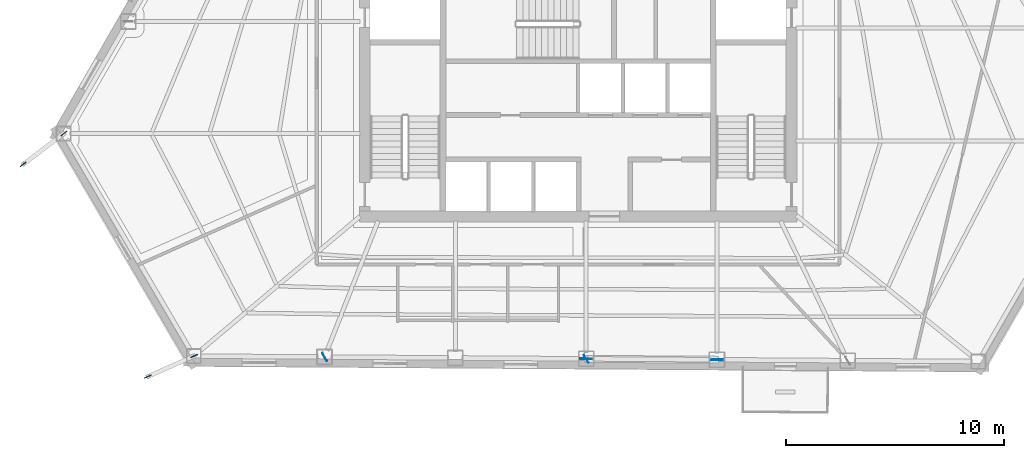
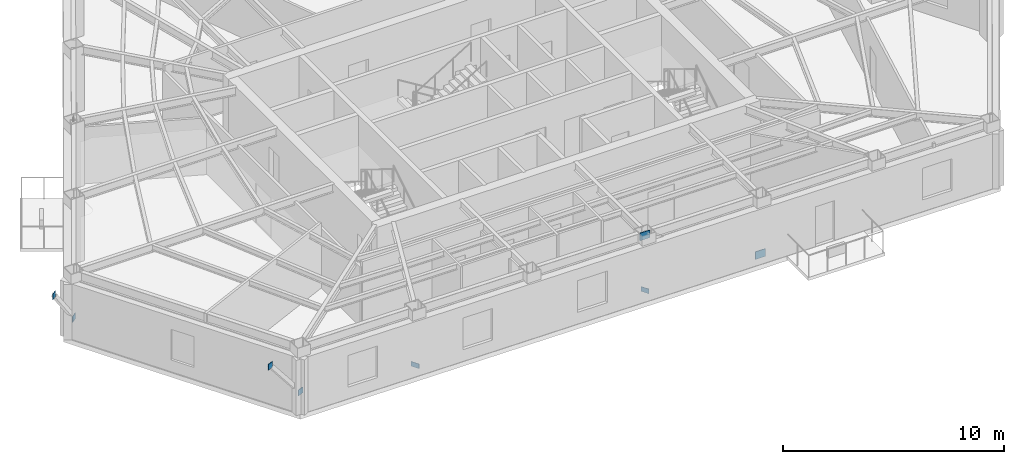
# One storey, part 4 of 12: 8 plates.
"""IFC4 building model written with IfcOpenShell, lengths in metres."""

import ifcopenshell
import ifcopenshell.guid

model = None  # the IFC model being written
_history = None  # IfcOwnerHistory: only IFC2X3 demands one
_inside = {}  # id of a spatial element -> (the spatial element, [elements in it])
_under = {}  # id of a project, library or spatial element -> (it, [spatial elements below it])
_declared = {}  # id of a project -> (the project, [libraries it declares])
_typed = {}  # id of a type object -> (the type object, [elements of that type])
_made_of = {}  # id of a material, layer set ... -> (it, [elements and type objects made of it])


def new_model(schema):
    """Start an empty IFC model of exactly this schema.

    Asked for "IFC4X3", IfcOpenShell would pick the latest addendum, in which some entities
    have other attributes; the version numbers below select the first issue.
    IFC2X3 requires an IfcOwnerHistory on every rooted entity: one is made here for all.
    """
    global model, _history
    if schema == "IFC4X3":
        model = ifcopenshell.file(schema_version=(4, 3, 0, 0))
    else:
        model = ifcopenshell.file(schema=schema)
    _inside.clear()
    _under.clear()
    _declared.clear()
    _typed.clear()
    _made_of.clear()
    _history = None
    if model.schema == "IFC2X3":
        org = make("IfcOrganization", Name="unknown")
        user = make(
            "IfcPersonAndOrganization",
            ThePerson=make("IfcPerson", FamilyName="unknown"),
            TheOrganization=org,
        )
        app = make(
            "IfcApplication",
            ApplicationDeveloper=org,
            Version="unknown",
            ApplicationFullName="unknown",
            ApplicationIdentifier="unknown",
        )
        _history = make(
            "IfcOwnerHistory",
            OwningUser=user,
            OwningApplication=app,
            ChangeAction="ADDED",
            CreationDate=0,
        )
    return model


def make(cls, **values):
    """One entity of the class cls with the attributes given. An attribute that is None is left unset."""
    return model.create_entity(
        cls, **{name: value for name, value in values.items() if value is not None}
    )


def rooted(cls, **values):
    """An entity with a GlobalId (a new one), such as an element, a storey or a relation."""
    return make(cls, GlobalId=ifcopenshell.guid.new(), OwnerHistory=_history, **values)


def si_unit(unit_type, name, prefix=None):
    """IfcSIUnit, for example si_unit("LENGTHUNIT", "METRE", prefix="MILLI")."""
    return make("IfcSIUnit", UnitType=unit_type, Prefix=prefix, Name=name)


def assignment(units):
    """IfcUnitAssignment: the units of a project."""
    return None if units is None else make("IfcUnitAssignment", Units=units)


def point(xyz):
    """IfcCartesianPoint."""
    return None if xyz is None else make("IfcCartesianPoint", Coordinates=xyz)


def direction(xyz):
    """IfcDirection."""
    return None if xyz is None else make("IfcDirection", DirectionRatios=xyz)


def frame(location, z_axis=None, x_axis=None):
    """IfcAxis2Placement3D, a coordinate frame: its origin and axes. An axis left out is left unset."""
    return make(
        "IfcAxis2Placement3D",
        Location=point(location),
        Axis=direction(z_axis),
        RefDirection=direction(x_axis),
    )


def frame_2d(location, x_axis=None):
    """IfcAxis2Placement2D, a coordinate frame in the plane: its origin and x axis."""
    return make(
        "IfcAxis2Placement2D", Location=point(location), RefDirection=direction(x_axis)
    )


def origin():
    """The frame at (0, 0, 0) with its axes left unset."""
    return frame((0.0, 0.0, 0.0))


def origin_2d():
    """The frame at (0, 0) in the plane with its x axis left unset."""
    return frame_2d((0.0, 0.0))


def place(relative_to, where):
    """IfcLocalPlacement: puts the frame where relative to a parent placement (None: the world)."""
    return make(
        "IfcLocalPlacement", PlacementRelTo=relative_to, RelativePlacement=where
    )


def context(
    kind, dimensions, precision=None, world=None, true_north=None, identifier=None
):
    """IfcGeometricRepresentationContext, for example the 3D "Model" context."""
    return make(
        "IfcGeometricRepresentationContext",
        ContextIdentifier=identifier,
        ContextType=kind,
        CoordinateSpaceDimension=dimensions,
        Precision=precision,
        WorldCoordinateSystem=world,
        TrueNorth=true_north,
    )


def subcontext(parent, identifier, kind, view, scale=None):
    """IfcGeometricRepresentationSubContext, for example "Body" below "Model"."""
    return make(
        "IfcGeometricRepresentationSubContext",
        ContextIdentifier=identifier,
        ContextType=kind,
        ParentContext=parent,
        TargetScale=scale,
        TargetView=view,
    )


def project(units=None, contexts=None):
    """IfcProject with its units and contexts."""
    return rooted(
        "IfcProject",
        Name="project",
        RepresentationContexts=contexts,
        UnitsInContext=assignment(units),
    )


def spatial(cls, under=None, at=None, **own):
    """A site, building, storey or space (cls), placed at a placement, below another one or the project."""
    s = rooted(cls, ObjectPlacement=at, **own)
    if under is not None:
        _under.setdefault(under.id(), (under, []))[1].append(s)
    return s


def profile(cls, at=None, kind="AREA", **sizes):
    """A parametric profile (cls). Its sizes go by their IFC names, for example OverallWidth=200.0."""
    return make(cls, ProfileType=kind, Position=at, **sizes)


def rectangle(**sizes):
    """IfcRectangleProfileDef."""
    return profile("IfcRectangleProfileDef", **sizes)


def extrude(swept, where, along, depth):
    """IfcExtrudedAreaSolid: the profile swept, set in the frame where, extruded along a direction by depth."""
    return make(
        "IfcExtrudedAreaSolid",
        SweptArea=swept,
        Position=where,
        ExtrudedDirection=direction(along),
        Depth=depth,
    )


def shape(context_of_items, identifier, shape_type, items):
    """IfcShapeRepresentation: the items that make up one representation, for example the "Body"."""
    return make(
        "IfcShapeRepresentation",
        ContextOfItems=context_of_items,
        RepresentationIdentifier=identifier,
        RepresentationType=shape_type,
        Items=items,
    )


def material(Name=None, Category=None):
    """IfcMaterial."""
    return make("IfcMaterial", Name=Name, Category=Category)


def layer(
    of_material, thickness, ventilated=None, Name=None, Category=None, Priority=None
):
    """IfcMaterialLayer: one layer of a wall or slab, of a material (None: an air gap)."""
    return make(
        "IfcMaterialLayer",
        Material=of_material,
        LayerThickness=thickness,
        IsVentilated=ventilated,
        Name=Name,
        Category=Category,
        Priority=Priority,
    )


def layer_set(layers, Name=None):
    """IfcMaterialLayerSet."""
    return make("IfcMaterialLayerSet", MaterialLayers=layers, LayerSetName=Name)


def made_of(thing, what):
    """Note that an element or type object is made of a material, layer set ...; save() writes the relation."""
    if what is not None:
        _made_of.setdefault(what.id(), (what, []))[1].append(thing)
    return thing


def type_object(cls, material=None, **own):
    """A type object (cls), such as IfcWallType, which elements share."""
    return made_of(rooted(cls, **own), material)


def element(
    cls,
    number,
    at=None,
    inside=None,
    cuts=None,
    type_object=None,
    material=None,
    context=None,
    identifier="Body",
    shape_type=None,
    held_by="IfcProductDefinitionShape",
    body=None,
    shapes=None,
    **own,
):
    """One element of the class cls, such as IfcWall. Its Tag is "e" and its number.

    at: its placement. inside: the storey or other place that contains it. cuts: it is an
    opening in that element (IfcRelVoidsElement). A single representation is given by context,
    identifier, shape_type and body (its items); several are given by shapes. held_by: the class
    of the entity that holds the representations. save() writes the other relations.
    """
    e = rooted(cls, Tag="e%d" % number, ObjectPlacement=at, **own)
    if body is not None:
        shapes = [shape(context, identifier, shape_type, body)]
    if shapes is not None:
        e.Representation = make(held_by, Representations=shapes)
    if inside is not None:
        _inside.setdefault(inside.id(), (inside, []))[1].append(e)
    if cuts is not None:
        rooted(
            "IfcRelVoidsElement", RelatingBuildingElement=cuts, RelatedOpeningElement=e
        )
    if type_object is not None:
        _typed.setdefault(type_object.id(), (type_object, []))[1].append(e)
    return made_of(e, material)


def aggregate(whole, parts):
    """IfcRelAggregates: a whole, such as a stair, and the parts it consists of."""
    return rooted("IfcRelAggregates", RelatingObject=whole, RelatedObjects=parts)


def save(model, path):
    """Write the relations noted so far, then the file.

    IfcRelAggregates (storeys below a building ...), IfcRelContainedInSpatialStructure (elements
    in a storey), IfcRelDefinesByType, IfcRelAssociatesMaterial and IfcRelDeclares: one each for
    every whole, place, type object, material and project.
    """
    for whole, parts in _under.values():
        aggregate(whole, parts)
    for where, things in _inside.values():
        rooted(
            "IfcRelContainedInSpatialStructure",
            RelatedElements=things,
            RelatingStructure=where,
        )
    for kind, things in _typed.values():
        rooted("IfcRelDefinesByType", RelatedObjects=things, RelatingType=kind)
    for what, things in _made_of.values():
        rooted("IfcRelAssociatesMaterial", RelatedObjects=things, RelatingMaterial=what)
    for by, libraries in _declared.values():
        rooted("IfcRelDeclares", RelatingContext=by, RelatedDefinitions=libraries)
    model.write(path)


model = new_model("IFC4")

# Units and contexts
model_context = context("Model", 3, precision=1e-05, world=origin(), true_north=direction((0.0, 1.0)))
body_context = subcontext(model_context, "Body", "Model", "MODEL_VIEW")
ifc_project = project(units=[si_unit("LENGTHUNIT", "METRE"), si_unit("AREAUNIT", "SQUARE_METRE"), si_unit("VOLUMEUNIT", "CUBIC_METRE"), si_unit("PLANEANGLEUNIT", "RADIAN"), si_unit("MASSUNIT", "GRAM", prefix="KILO")], contexts=[model_context])

# Site, building, storey
site_placement = place(None, origin())
site = spatial("IfcSite", under=ifc_project, at=site_placement, CompositionType="ELEMENT")
building_placement = place(site_placement, origin())
building = spatial("IfcBuilding", under=site, at=building_placement, Name="Kavelnor Concourse Tower", CompositionType="ELEMENT")
storey_placement = place(building_placement, frame((0.0, 0.0, 120.14990234375)))
storey = spatial("IfcBuildingStorey", under=building, at=storey_placement, Name="L30", CompositionType="ELEMENT", Elevation=120.14990234375)

# Plates
ifc_material = material(Name="Steel Grade 350", Category="steel")
ifc_layer_1 = layer(ifc_material, 0.028076171875, Name="Steel Grade 350")
ifc_layer_set_1 = layer_set([ifc_layer_1], Name="Steel Grade 350")
plate_type_1 = type_object("IfcPlateType", Name="PL-GUSSET-FOLD", PredefinedType="USERDEFINED", material=ifc_layer_set_1)
for number, where, z_axis, x_axis, name in (
    (1, (14.447998046875, 13.145263671875, 0.740234375), (0.0, 0.0, 1.0), (-0.796213241496, -0.605016094056, 0.0), "L30 Terrace Strut Gusset GP4 C1-A End Gusset A"),
    (2, (12.586181640625, 11.73046875, 3.47509765625), (0.0, 0.0, 1.0), (-0.796213241496, -0.605016094056, 0.0), "L30 Terrace Strut Gusset GP4 C1-A End Gusset B"),
    (3, (20.411865234375, 2.955810546875, 0.740234375), (0.0, 0.0, 1.0), (-0.913687379856, -0.40641773078, 0.0), "L30 Terrace Strut Gusset GP4 C1-B End Gusset A"),
    (4, (18.2919921875, 2.012939453125, 3.47509765625), (0.0, 0.0, 1.0), (-0.913687379856, -0.40641773078, 0.0), "L30 Terrace Strut Gusset GP4 C1-B End Gusset B"),
):
    element("IfcPlate", number, at=place(storey_placement, frame(where, z_axis=z_axis, x_axis=x_axis)), inside=storey, type_object=plate_type_1, Name=name, ObjectType="GUSSET_PLATE", PredefinedType="USERDEFINED", context=body_context, shape_type="SweptSolid", body=[
        extrude(rectangle(XDim=0.340087890625, YDim=0.028076171875, at=origin_2d()), origin(), (0.0, 0.0, 1.0), 0.320068359375),
    ])
ifc_layer_2 = layer(ifc_material, 0.031982421875, Name="Steel Grade 350")
ifc_layer_set_2 = layer_set([ifc_layer_2], Name="Steel Grade 350")
plate_type_2 = type_object("IfcPlateType", Name="PL-GUSSET-TUBE-Z1", PredefinedType="USERDEFINED", material=ifc_layer_set_2)
for number, where, z_axis, x_axis, name in (
    (5, (44.368408203125, 2.78466796875, 0.01025390625), (0.0, 0.0, 1.0), (-0.999975630705, 0.006981260298, 0.0), "L30 Tube Brace Gusset GP3 F1-B3 End Gusset A"),
    (6, (38.35546875, 2.826416015625, 3.12353515625), (0.0, 0.0, 1.0), (-0.999975630705, 0.006981260298, 0.0), "L30 Tube Brace Gusset GP3 F1-B3 End Gusset B"),
):
    element("IfcPlate", number, at=place(storey_placement, frame(where, z_axis=z_axis, x_axis=x_axis)), inside=storey, type_object=plate_type_2, Name=name, ObjectType="GUSSET_PLATE", PredefinedType="USERDEFINED", context=body_context, shape_type="SweptSolid", body=[
        extrude(rectangle(XDim=0.52001953125, YDim=0.031982421875, at=origin_2d()), origin(), (0.0, 0.0, 1.0), 0.419921875),
    ])
ifc_layer_3 = layer(ifc_material, 0.02490234375, Name="Steel Grade 350")
ifc_layer_set_3 = layer_set([ifc_layer_3], Name="Steel Grade 350")
plate_type_3 = type_object("IfcPlateType", Name="PL-SPLICE-FLANGE", PredefinedType="SHEET", material=ifc_layer_set_3)
for number, where, z_axis, x_axis, name in (
    (7, (26.3896484375, 2.909423828125, 0.169921875), (0.0, 0.0, 1.0), (-0.5, 0.866025403784, 0.0), "L30 Column Flange Splice Plate F1-B1"),
    (8, (38.367431640625, 2.826416015625, 0.169921875), (0.0, 0.0, 1.0), (-0.5, 0.866025403784, 0.0), "L30 Column Flange Splice Plate F1-B3"),
):
    element("IfcPlate", number, at=place(storey_placement, frame(where, z_axis=z_axis, x_axis=x_axis)), inside=storey, type_object=plate_type_3, Name=name, PredefinedType="SHEET", context=body_context, shape_type="SweptSolid", body=[
        extrude(rectangle(XDim=0.419921875, YDim=0.02490234375, at=origin_2d()), origin(), (0.0, 0.0, 1.0), 0.260009765625),
    ])

save(model, "model.ifc")
